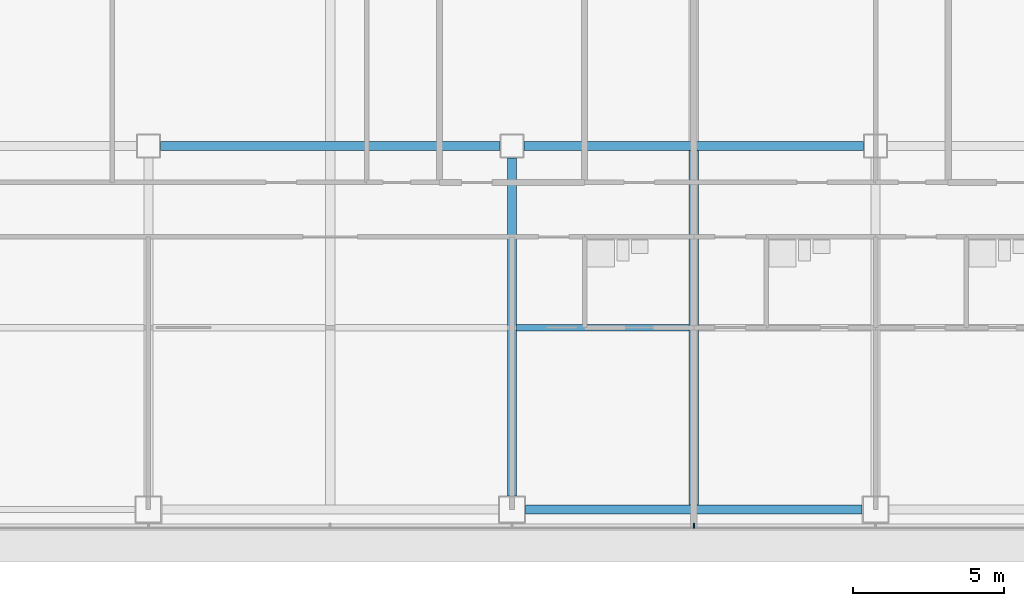
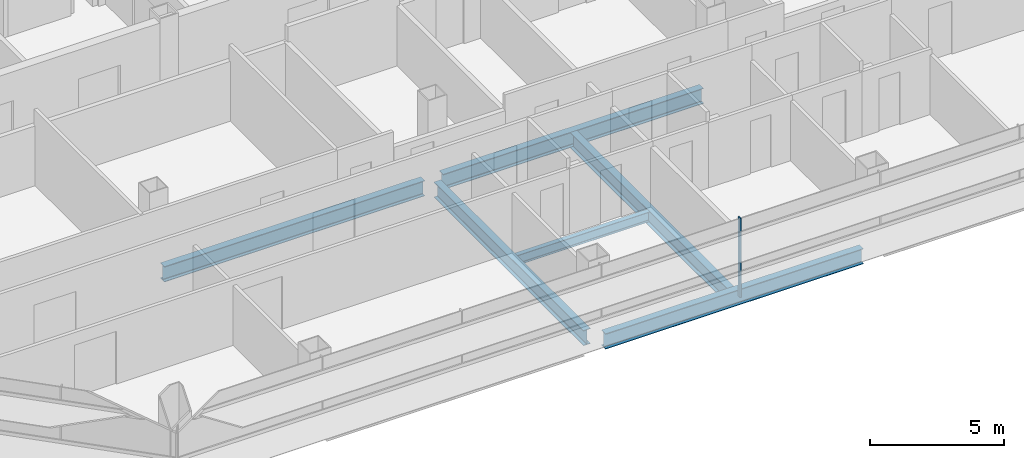
# One storey, part 3 of 26: 6 beams, 1 member, 1 element without a shape of its own.
"""IFC4 building model written with IfcOpenShell, lengths in metres."""

from ifc_helpers import new_model, si_unit, direction, frame, origin, origin_2d, place, context, subcontext, project, spatial, rectangle, i_section, extrude, material, material_profile, profile_set, type_object, element, aggregate, save


model = new_model("IFC4")

# Units and contexts
model_context = context("Model", 3, precision=1e-05, world=origin(), true_north=direction((0.0, 1.0)))
body_context = subcontext(model_context, "Body", "Model", "MODEL_VIEW")
ifc_project = project(units=[si_unit("LENGTHUNIT", "METRE"), si_unit("AREAUNIT", "SQUARE_METRE"), si_unit("VOLUMEUNIT", "CUBIC_METRE"), si_unit("PLANEANGLEUNIT", "RADIAN"), si_unit("MASSUNIT", "GRAM", prefix="KILO")], contexts=[model_context])

# Site, building, storey
site_placement = place(None, origin())
site = spatial("IfcSite", under=ifc_project, at=site_placement, CompositionType="ELEMENT")
building_placement = place(site_placement, origin())
building = spatial("IfcBuilding", under=site, at=building_placement, Name="Sorahane Residences", CompositionType="ELEMENT")
storey_placement = place(building_placement, frame((0.0, 0.0, 67.800048828125)))
storey = spatial("IfcBuildingStorey", under=building, at=storey_placement, Name="L13", CompositionType="ELEMENT", Elevation=67.800048828125)

# Curtain wall, member
ifc_material_1 = material(Name="Dark low-e glass and black anodised aluminium", Category="aluminium")
curtain_wall_type = type_object("IfcCurtainWallType", Name="Curtain wall CW-1 Typical unitised wall", PredefinedType="NOTDEFINED", material=ifc_material_1)
curtain_wall_placement = place(storey_placement, origin())
curtain_wall = element("IfcCurtainWall", 1, at=curtain_wall_placement, inside=storey, type_object=curtain_wall_type, Name="CW-1 curtain wall L13 S1", PredefinedType="NOTDEFINED")
ifc_material_2 = material(Name="Black anodised aluminium", Category="aluminium")
ifc_material_profile_1 = material_profile(ifc_material_2, rectangle(XDim=0.159912109375, YDim=0.050048828125, at=origin_2d()), Name="Curtain wall mullion CW-1 black anodised aluminium 50x160")
ifc_profile_set_1 = profile_set([ifc_material_profile_1], Name="Black anodised aluminium")
member_type = type_object("IfcMemberType", Name="Curtain wall mullion CW-1 black anodised aluminium 50x160", PredefinedType="MULLION", material=ifc_profile_set_1)
member_placement = place(storey_placement, frame((30.0, -0.5400390625, -0.179931640625), z_axis=(0.0, 0.0, 1.0), x_axis=(0.0, -1.0, 0.0)))
member = element("IfcMember", 2, at=member_placement, type_object=member_type, Name="CW-1 mullion L13 S1.5", PredefinedType="MULLION", context=body_context, shape_type="SweptSolid", body=[
    extrude(rectangle(XDim=0.159912109375, YDim=0.050048828125, at=origin_2d()), origin(), (0.0, 0.0, 1.0), 3.599853515625),
])
aggregate(curtain_wall, [member])

# Beams
ifc_material_3 = material(Name="Steel Q355B", Category="steel")
ifc_material_profile_2 = material_profile(ifc_material_3, i_section(OverallWidth=0.199951171875, OverallDepth=0.449951171875, WebThickness=0.009033203125, FlangeThickness=0.013916015625, FilletRadius=0.02001953125, at=origin_2d()), Name="HN 450x200x9x14")
ifc_profile_set_2 = profile_set([ifc_material_profile_2], Name="Steel Q355B")
beam_type_1 = type_object("IfcBeamType", Name="Steel floor beam HN 450x200x9x14 Q355B", PredefinedType="BEAM", material=ifc_profile_set_2)
beam_1_placement = place(storey_placement, frame((24.14990234375, 6.0, -0.405029296875), z_axis=(1.0, 0.0, 0.0), x_axis=(0.0, 1.0, 0.0)))
element("IfcBeam", 3, at=beam_1_placement, inside=storey, type_object=beam_type_1, Name="Beam L13 065", PredefinedType="BEAM", context=body_context, shape_type="SweptSolid", body=[
    extrude(i_section(OverallWidth=0.199951171875, OverallDepth=0.449951171875, WebThickness=0.009033203125, FlangeThickness=0.013916015625, FilletRadius=0.02001953125, at=origin_2d()), origin(), (0.0, 0.0, 1.0), 5.7001953125),
])
ifc_material_4 = material(Name="Steel Q355B", Category="steel")
ifc_material_profile_3 = material_profile(ifc_material_4, i_section(OverallWidth=0.300048828125, OverallDepth=0.699951171875, WebThickness=0.012939453125, FlangeThickness=0.02392578125, FilletRadius=0.028076171875, at=origin_2d()), Name="HN 700x300x13x24")
ifc_profile_set_3 = profile_set([ifc_material_profile_3], Name="Steel Q355B")
beam_type_2 = type_object("IfcBeamType", Name="Steel floor beam HN 700x300x13x24 Q355B", PredefinedType="BEAM", material=ifc_profile_set_3)
beam_2_placement = place(storey_placement, frame((24.449951171875, 0.0, -0.530029296875), z_axis=(1.0, 0.0, 0.0), x_axis=(0.0, 1.0, 0.0)))
element("IfcBeam", 4, at=beam_2_placement, inside=storey, type_object=beam_type_2, Name="Beam L13 002", PredefinedType="BEAM", context=body_context, shape_type="SweptSolid", body=[
    extrude(i_section(OverallWidth=0.300048828125, OverallDepth=0.699951171875, WebThickness=0.012939453125, FlangeThickness=0.02392578125, FilletRadius=0.028076171875, at=origin_2d()), origin(), (0.0, 0.0, 1.0), 11.10009765625),
])
for number, where, z_axis, x_axis, name in (
    (5, (12.39990234375, 12.0, -0.530029296875), (1.0, 0.0, 0.0), (0.0, 1.0, 0.0), "Beam L13 006"),
    (6, (24.39990234375, 12.0, -0.530029296875), (1.0, 0.0, 0.0), (0.0, 1.0, 0.0), "Beam L13 007"),
):
    element("IfcBeam", number, at=place(storey_placement, frame(where, z_axis=z_axis, x_axis=x_axis)), inside=storey, type_object=beam_type_2, Name=name, PredefinedType="BEAM", context=body_context, shape_type="SweptSolid", body=[
        extrude(i_section(OverallWidth=0.300048828125, OverallDepth=0.699951171875, WebThickness=0.012939453125, FlangeThickness=0.02392578125, FilletRadius=0.028076171875, at=origin_2d()), origin(), (0.0, 0.0, 1.0), 11.2001953125),
    ])
beam_3_placement = place(storey_placement, frame((24.0, 0.449951171875, -0.530029296875), z_axis=(0.0, 1.0, 0.0), x_axis=(-1.0, 0.0, 0.0)))
element("IfcBeam", 7, at=beam_3_placement, inside=storey, type_object=beam_type_2, Name="Beam L13 035", PredefinedType="BEAM", context=body_context, shape_type="SweptSolid", body=[
    extrude(i_section(OverallWidth=0.300048828125, OverallDepth=0.699951171875, WebThickness=0.012939453125, FlangeThickness=0.02392578125, FilletRadius=0.028076171875, at=origin_2d()), origin(), (0.0, 0.0, 1.0), 11.150146484375),
])
beam_4_placement = place(storey_placement, frame((30.0, 0.14990234375, -0.530029296875), z_axis=(0.0, 1.0, 0.0), x_axis=(-1.0, 0.0, 0.0)))
element("IfcBeam", 8, at=beam_4_placement, inside=storey, type_object=beam_type_2, Name="Beam L13 037", PredefinedType="BEAM", context=body_context, shape_type="SweptSolid", body=[
    extrude(i_section(OverallWidth=0.300048828125, OverallDepth=0.699951171875, WebThickness=0.012939453125, FlangeThickness=0.02392578125, FilletRadius=0.028076171875, at=origin_2d()), origin(), (0.0, 0.0, 1.0), 11.7001953125),
])

save(model, "model.ifc")
